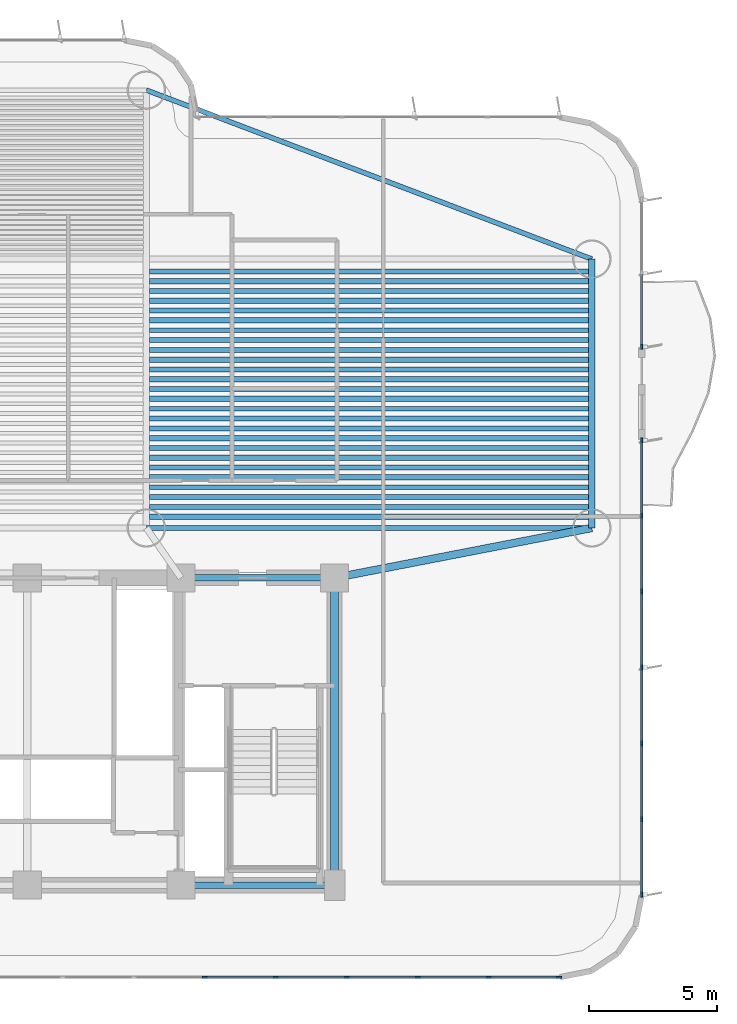
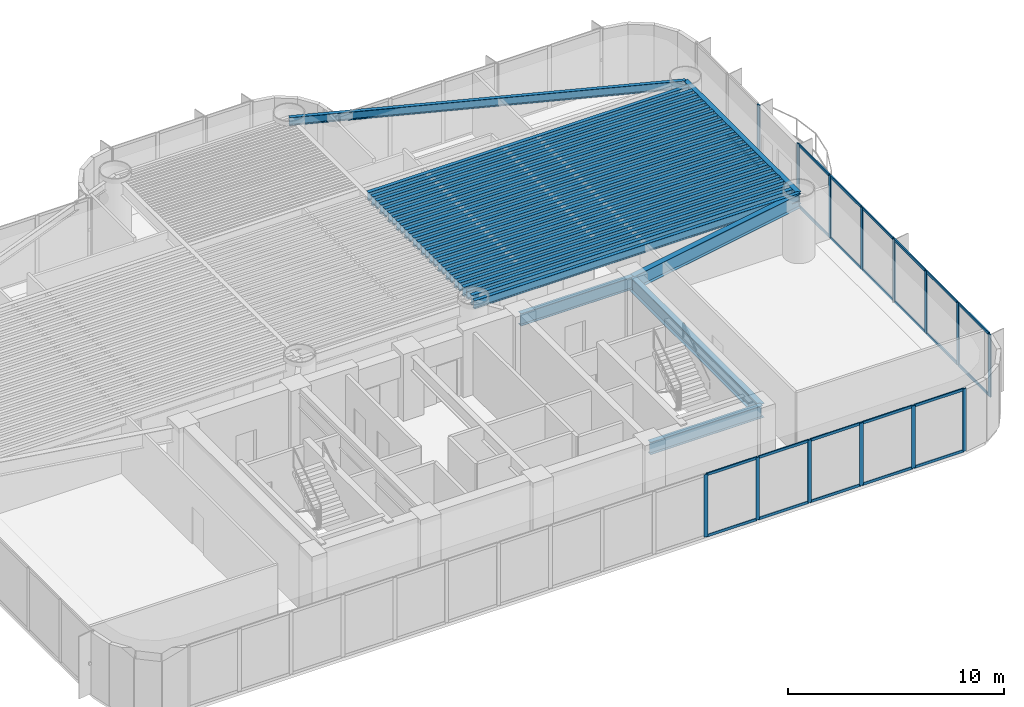
# One storey, part 5 of 16: 37 members, 33 beams, 3 elements without a shape of their own.
"""IFC4 building model written with IfcOpenShell, lengths in metres."""

from ifc_helpers import new_model, si_unit, direction, frame, origin, origin_2d, place, context, subcontext, project, spatial, rectangle, i_section, extrude, source, transform, mapped, material, layer, layer_set, material_profile, profile_set, type_object, element, aggregate, save


model = new_model("IFC4")

# Units and contexts
model_context = context("Model", 3, precision=1e-05, world=origin(), true_north=direction((0.0, 1.0)))
body_context = subcontext(model_context, "Body", "Model", "MODEL_VIEW")
ifc_project = project(units=[si_unit("LENGTHUNIT", "METRE"), si_unit("AREAUNIT", "SQUARE_METRE"), si_unit("VOLUMEUNIT", "CUBIC_METRE"), si_unit("PLANEANGLEUNIT", "RADIAN"), si_unit("MASSUNIT", "GRAM", prefix="KILO")], contexts=[model_context])

# Site, building, storey
site_placement = place(None, origin())
site = spatial("IfcSite", under=ifc_project, at=site_placement, CompositionType="ELEMENT")
building_placement = place(site_placement, origin())
building = spatial("IfcBuilding", under=site, at=building_placement, Name="Brelvock Crest Care Tower", CompositionType="ELEMENT")
storey_placement = place(building_placement, frame((0.0, 0.0, 61.02001953125)))
storey = spatial("IfcBuildingStorey", under=building, at=storey_placement, Name="L15", CompositionType="ELEMENT", Elevation=61.02001953125)

# Beams
ifc_material_1 = material(Name="Steel Grade 350", Category="steel")
ifc_material_profile_1 = material_profile(ifc_material_1, i_section(OverallWidth=0.25, OverallDepth=0.699951171875, WebThickness=0.011962890625, FlangeThickness=0.02001953125, at=origin_2d()), Name="700WB150")
ifc_profile_set_1 = profile_set([ifc_material_profile_1], Name="Steel Grade 350")
beam_type_1 = type_object("IfcBeamType", Name="BM-G4", PredefinedType="BEAM", material=ifc_profile_set_1)
shared_shape_1 = source(origin(), body_context, "Body", "SweptSolid", [
    extrude(i_section(OverallWidth=0.25, OverallDepth=0.699951171875, WebThickness=0.011962890625, FlangeThickness=0.02001953125, at=origin_2d()), origin(), (0.0, 0.0, 1.0), 6.0),
])
for number, where, z_axis, x_axis, name in (
    (1, (42.0, 6.0, 3.179931640625), (1.0, 0.0, 0.0), (0.0, 1.0, 0.0), "BM-CORES-L15-4"),
    (2, (42.0, 18.0, 3.179931640625), (1.0, 0.0, 0.0), (0.0, 1.0, 0.0), "BM-COREN-L15-4"),
):
    element("IfcBeam", number, at=place(storey_placement, frame(where, z_axis=z_axis, x_axis=x_axis)), inside=storey, type_object=beam_type_1, Name=name, PredefinedType="BEAM", context=body_context, shape_type="MappedRepresentation", body=[
        mapped(shared_shape_1, transform((0.0, 0.0, 0.0), x_axis=(1.0, 0.0, 0.0), y_axis=(0.0, 1.0, 0.0), z_axis=(0.0, 0.0, 1.0), scale=1.0)),
    ])
ifc_material_profile_2 = material_profile(ifc_material_1, i_section(OverallWidth=0.300048828125, OverallDepth=0.800048828125, WebThickness=0.013916015625, FlangeThickness=0.02197265625, at=origin_2d()), Name="800WB192")
ifc_profile_set_2 = profile_set([ifc_material_profile_2], Name="Steel Grade 350")
beam_type_2 = type_object("IfcBeamType", Name="BM-G5", PredefinedType="BEAM", material=ifc_profile_set_2)
shared_shape_2 = source(origin(), body_context, "Body", "SweptSolid", [
    extrude(i_section(OverallWidth=0.300048828125, OverallDepth=0.800048828125, WebThickness=0.013916015625, FlangeThickness=0.02197265625, at=origin_2d()), origin(), (0.0, 0.0, 1.0), 12.0),
])
beam_1_placement = place(storey_placement, frame((48.0, 6.0, 3.1298828125), z_axis=(0.0, 1.0, 0.0), x_axis=(-1.0, 0.0, 0.0)))
element("IfcBeam", 3, at=beam_1_placement, inside=storey, type_object=beam_type_2, Name="BM-COREX-L15-5", PredefinedType="BEAM", context=body_context, shape_type="MappedRepresentation", body=[
    mapped(shared_shape_2, transform((0.0, 0.0, 0.0), x_axis=(1.0, 0.0, 0.0), y_axis=(0.0, 1.0, 0.0), z_axis=(0.0, 0.0, 1.0), scale=1.0)),
])
shared_shape_3 = source(origin(), body_context, "Body", "SweptSolid", [
    extrude(i_section(OverallWidth=0.25, OverallDepth=0.699951171875, WebThickness=0.011962890625, FlangeThickness=0.02001953125, at=origin_2d()), origin(), (0.0, 0.0, 1.0), 10.5),
])
beam_2_placement = place(storey_placement, frame((58.050048828125, 19.949951171875, 3.179931640625), z_axis=(0.0, 1.0, 0.0), x_axis=(-1.0, 0.0, 0.0)))
element("IfcBeam", 4, at=beam_2_placement, inside=storey, type_object=beam_type_1, Name="BM-TWR-L15-02", PredefinedType="BEAM", context=body_context, shape_type="MappedRepresentation", body=[
    mapped(shared_shape_3, transform((0.0, 0.0, 0.0), x_axis=(1.0, 0.0, 0.0), y_axis=(0.0, 1.0, 0.0), z_axis=(0.0, 0.0, 1.0), scale=1.0)),
])
ifc_material_profile_3 = material_profile(ifc_material_1, i_section(OverallWidth=0.19091796875, OverallDepth=0.4599609375, WebThickness=0.010009765625, FlangeThickness=0.01611328125, FilletRadius=0.011474609375, at=origin_2d()), Name="460UB82.1")
ifc_profile_set_3 = profile_set([ifc_material_profile_3], Name="Steel Grade 350")
beam_type_3 = type_object("IfcBeamType", Name="BM-SP2", PredefinedType="SPANDREL", material=ifc_profile_set_3)
shared_shape_4 = source(origin(), body_context, "Body", "SweptSolid", [
    extrude(i_section(OverallWidth=0.19091796875, OverallDepth=0.4599609375, WebThickness=0.010009765625, FlangeThickness=0.01611328125, FilletRadius=0.011474609375, at=origin_2d()), origin(), (0.0, 0.0, 1.0), 17.400146484375),
])
beam_3_placement = place(storey_placement, frame((40.64990234375, 19.949951171875, 3.300048828125), z_axis=(1.0, 0.0, 0.0), x_axis=(0.0, 1.0, 0.0)))
element("IfcBeam", 5, at=beam_3_placement, inside=storey, type_object=beam_type_3, Name="BM-TWR-L15-04", PredefinedType="SPANDREL", context=body_context, shape_type="MappedRepresentation", body=[
    mapped(shared_shape_4, transform((0.0, 0.0, 0.0), x_axis=(1.0, 0.0, 0.0), y_axis=(0.0, 1.0, 0.0), z_axis=(0.0, 0.0, 1.0), scale=1.0)),
])
shared_shape_5 = source(origin(), body_context, "Body", "SweptSolid", [
    extrude(i_section(OverallWidth=0.19091796875, OverallDepth=0.4599609375, WebThickness=0.010009765625, FlangeThickness=0.01611328125, FilletRadius=0.011474609375, at=origin_2d()), origin(), (0.0, 0.0, 1.0), 18.60986328125),
])
beam_4_placement = place(storey_placement, frame((40.64990234375, 37.050048828125, 3.300048828125), z_axis=(0.934996776275, -0.3546562115, 0.0), x_axis=(0.3546562115, 0.934996776275, 0.0)))
element("IfcBeam", 6, at=beam_4_placement, inside=storey, type_object=beam_type_3, Name="BM-TWR-L15-07", PredefinedType="SPANDREL", context=body_context, shape_type="MappedRepresentation", body=[
    mapped(shared_shape_5, transform((0.0, 0.0, 0.0), x_axis=(1.0, 0.0, 0.0), y_axis=(0.0, 1.0, 0.0), z_axis=(0.0, 0.0, 1.0), scale=1.0)),
])
shared_shape_6 = source(origin(), body_context, "Body", "SweptSolid", [
    extrude(i_section(OverallWidth=0.300048828125, OverallDepth=0.800048828125, WebThickness=0.013916015625, FlangeThickness=0.02197265625, at=origin_2d()), origin(), (0.0, 0.0, 1.0), 10.237548828125),
])
beam_5_placement = place(storey_placement, frame((48.0, 18.0, 3.1298828125), z_axis=(0.981692632568, 0.190471979991, 0.0), x_axis=(-0.190471979991, 0.981692632568, 0.0)))
element("IfcBeam", 7, at=beam_5_placement, inside=storey, type_object=beam_type_2, Name="BM-THRO-E-L15", PredefinedType="BEAM", context=body_context, shape_type="MappedRepresentation", body=[
    mapped(shared_shape_6, transform((0.0, 0.0, 0.0), x_axis=(1.0, 0.0, 0.0), y_axis=(0.0, 1.0, 0.0), z_axis=(0.0, 0.0, 1.0), scale=1.0)),
])
ifc_material_profile_4 = material_profile(ifc_material_1, i_section(OverallWidth=0.208984375, OverallDepth=0.532958984375, WebThickness=0.01025390625, FlangeThickness=0.015625, FilletRadius=0.013916015625, at=origin_2d()), Name="530UB92.4")
ifc_profile_set_4 = profile_set([ifc_material_profile_4], Name="Steel Grade 350")
beam_type_4 = type_object("IfcBeamType", Name="BM-G2", PredefinedType="BEAM", material=ifc_profile_set_4)
shared_shape_7 = source(origin(), body_context, "Body", "SweptSolid", [
    extrude(i_section(OverallWidth=0.208984375, OverallDepth=0.532958984375, WebThickness=0.01025390625, FlangeThickness=0.015625, FilletRadius=0.013916015625, at=origin_2d()), origin(), (0.0, 0.0, 1.0), 17.170166015625),
])
for number, where, z_axis, x_axis, name in (
    (8, (40.764892578125, 20.39111328125, 3.263427734375), (1.0, 0.0, 0.0), (0.0, 1.0, 0.0), "BM-JE-L15-1"),
    (9, (40.764892578125, 21.157470703125, 3.263427734375), (1.0, 0.0, 0.0), (0.0, 1.0, 0.0), "BM-JE-L15-3"),
    (10, (40.764892578125, 21.924072265625, 3.263427734375), (1.0, 0.0, 0.0), (0.0, 1.0, 0.0), "BM-JE-L15-5"),
    (11, (40.764892578125, 22.6904296875, 3.263427734375), (1.0, 0.0, 0.0), (0.0, 1.0, 0.0), "BM-JE-L15-7"),
    (12, (40.764892578125, 23.45703125, 3.263427734375), (1.0, 0.0, 0.0), (0.0, 1.0, 0.0), "BM-JE-L15-9"),
    (13, (40.764892578125, 24.223388671875, 3.263427734375), (1.0, 0.0, 0.0), (0.0, 1.0, 0.0), "BM-JE-L15-11"),
    (14, (40.764892578125, 24.989990234375, 3.263427734375), (1.0, 0.0, 0.0), (0.0, 1.0, 0.0), "BM-JE-L15-13"),
    (15, (40.764892578125, 25.756591796875, 3.263427734375), (1.0, 0.0, 0.0), (0.0, 1.0, 0.0), "BM-JE-L15-15"),
    (16, (40.764892578125, 26.52294921875, 3.263427734375), (1.0, 0.0, 0.0), (0.0, 1.0, 0.0), "BM-JE-L15-17"),
    (17, (40.764892578125, 27.28955078125, 3.263427734375), (1.0, 0.0, 0.0), (0.0, 1.0, 0.0), "BM-JE-L15-19"),
    (18, (40.764892578125, 28.055908203125, 3.263427734375), (1.0, 0.0, 0.0), (0.0, 1.0, 0.0), "BM-JE-L15-21"),
    (19, (40.764892578125, 28.822509765625, 3.263427734375), (1.0, 0.0, 0.0), (0.0, 1.0, 0.0), "BM-JE-L15-23"),
    (20, (40.764892578125, 29.589111328125, 3.263427734375), (1.0, 0.0, 0.0), (0.0, 1.0, 0.0), "BM-JE-L15-25"),
):
    element("IfcBeam", number, at=place(storey_placement, frame(where, z_axis=z_axis, x_axis=x_axis)), inside=storey, type_object=beam_type_4, Name=name, PredefinedType="BEAM", context=body_context, shape_type="MappedRepresentation", body=[
        mapped(shared_shape_7, transform((0.0, 0.0, 0.0), x_axis=(1.0, 0.0, 0.0), y_axis=(0.0, 1.0, 0.0), z_axis=(0.0, 0.0, 1.0), scale=1.0)),
    ])
ifc_material_profile_5 = material_profile(ifc_material_1, i_section(OverallWidth=0.19091796875, OverallDepth=0.4599609375, WebThickness=0.010009765625, FlangeThickness=0.01611328125, FilletRadius=0.011474609375, at=origin_2d()), Name="460UB82.1")
ifc_profile_set_5 = profile_set([ifc_material_profile_5], Name="Steel Grade 350")
beam_type_5 = type_object("IfcBeamType", Name="BM-G3", PredefinedType="BEAM", material=ifc_profile_set_5)
shared_shape_8 = source(origin(), body_context, "Body", "SweptSolid", [
    extrude(i_section(OverallWidth=0.19091796875, OverallDepth=0.4599609375, WebThickness=0.010009765625, FlangeThickness=0.01611328125, FilletRadius=0.011474609375, at=origin_2d()), origin(), (0.0, 0.0, 1.0), 17.170166015625),
])
for number, where, z_axis, x_axis, name in (
    (21, (40.764892578125, 20.774169921875, 3.300048828125), (1.0, 0.0, 0.0), (0.0, 1.0, 0.0), "BM-JE-L15-2"),
    (22, (40.764892578125, 21.540771484375, 3.300048828125), (1.0, 0.0, 0.0), (0.0, 1.0, 0.0), "BM-JE-L15-4"),
    (23, (40.764892578125, 22.30712890625, 3.300048828125), (1.0, 0.0, 0.0), (0.0, 1.0, 0.0), "BM-JE-L15-6"),
    (24, (40.764892578125, 23.07373046875, 3.300048828125), (1.0, 0.0, 0.0), (0.0, 1.0, 0.0), "BM-JE-L15-8"),
    (25, (40.764892578125, 23.840087890625, 3.300048828125), (1.0, 0.0, 0.0), (0.0, 1.0, 0.0), "BM-JE-L15-10"),
    (26, (40.764892578125, 24.606689453125, 3.300048828125), (1.0, 0.0, 0.0), (0.0, 1.0, 0.0), "BM-JE-L15-12"),
    (27, (40.764892578125, 25.373291015625, 3.300048828125), (1.0, 0.0, 0.0), (0.0, 1.0, 0.0), "BM-JE-L15-14"),
    (28, (40.764892578125, 26.1396484375, 3.300048828125), (1.0, 0.0, 0.0), (0.0, 1.0, 0.0), "BM-JE-L15-16"),
    (29, (40.764892578125, 26.90625, 3.300048828125), (1.0, 0.0, 0.0), (0.0, 1.0, 0.0), "BM-JE-L15-18"),
    (30, (40.764892578125, 27.6728515625, 3.300048828125), (1.0, 0.0, 0.0), (0.0, 1.0, 0.0), "BM-JE-L15-20"),
    (31, (40.764892578125, 28.439208984375, 3.300048828125), (1.0, 0.0, 0.0), (0.0, 1.0, 0.0), "BM-JE-L15-22"),
    (32, (40.764892578125, 29.205810546875, 3.300048828125), (1.0, 0.0, 0.0), (0.0, 1.0, 0.0), "BM-JE-L15-24"),
    (33, (40.764892578125, 29.97216796875, 3.300048828125), (1.0, 0.0, 0.0), (0.0, 1.0, 0.0), "BM-JE-L15-26"),
):
    element("IfcBeam", number, at=place(storey_placement, frame(where, z_axis=z_axis, x_axis=x_axis)), inside=storey, type_object=beam_type_5, Name=name, PredefinedType="BEAM", context=body_context, shape_type="MappedRepresentation", body=[
        mapped(shared_shape_8, transform((0.0, 0.0, 0.0), x_axis=(1.0, 0.0, 0.0), y_axis=(0.0, 1.0, 0.0), z_axis=(0.0, 0.0, 1.0), scale=1.0)),
    ])

# Curtain wall, member
ifc_material_2 = material(Name="Dark Glass Double Glazed Low-E", Category="glass")
ifc_layer = layer(ifc_material_2, 0.195068359375, Name="CWS-2")
ifc_layer_set = layer_set([ifc_layer], Name="Dark Glass Double Glazed Low-E")
curtain_wall_type = type_object("IfcCurtainWallType", Name="CWS-2", PredefinedType="NOTDEFINED", material=ifc_layer_set)
curtain_wall_1_placement = place(storey_placement, origin())
curtain_wall_1 = element("IfcCurtainWall", 34, at=curtain_wall_1_placement, inside=storey, type_object=curtain_wall_type, Name="L15 Curtain Wall E03A", PredefinedType="NOTDEFINED")
ifc_material_3 = material(Name="Aluminium 6063-T6", Category="aluminium")
ifc_material_profile_6 = material_profile(ifc_material_3, rectangle(XDim=0.06494140625, YDim=0.199951171875, at=origin_2d()), Name="ALU65x200")
ifc_profile_set_6 = profile_set([ifc_material_profile_6], Name="Aluminium 6063-T6")
member_type_1 = type_object("IfcMemberType", Name="CWM-1", PredefinedType="MULLION", material=ifc_profile_set_6)
shared_shape_9 = source(origin(), body_context, "Body", "SweptSolid", [
    extrude(rectangle(XDim=0.06494140625, YDim=0.199951171875, at=origin_2d()), origin(), (0.0, 0.0, 1.0), 3.530029296875),
])
member_1_placement = place(storey_placement, frame((60.0, 27.032470703125, 0.0), z_axis=(0.0, 0.0, 1.0), x_axis=(1.0, 0.0, 0.0)))
member_1 = element("IfcMember", 35, at=member_1_placement, type_object=member_type_1, Name="CW-2 mullion 3", PredefinedType="MULLION", context=body_context, shape_type="MappedRepresentation", body=[
    mapped(shared_shape_9, transform((0.0, 0.0, 0.0), x_axis=(1.0, 0.0, 0.0), y_axis=(0.0, 1.0, 0.0), z_axis=(0.0, 0.0, 1.0), scale=1.0)),
])

# Curtain wall, members
curtain_wall_2_placement = place(storey_placement, origin())
curtain_wall_2 = element("IfcCurtainWall", 36, at=curtain_wall_2_placement, inside=storey, type_object=curtain_wall_type, Name="L15 Curtain Wall E03B", PredefinedType="NOTDEFINED")
member_2_placement = place(storey_placement, frame((60.0, 23.367431640625, 0.0), z_axis=(0.0, 0.0, 1.0), x_axis=(1.0, 0.0, 0.0)))
member_2 = element("IfcMember", 37, at=member_2_placement, type_object=member_type_1, Name="CW-2 mullion 1", PredefinedType="MULLION", context=body_context, shape_type="MappedRepresentation", body=[
    mapped(shared_shape_9, transform((0.0, 0.0, 0.0), x_axis=(1.0, 0.0, 0.0), y_axis=(0.0, 1.0, 0.0), z_axis=(0.0, 0.0, 1.0), scale=1.0)),
])
member_3_placement = place(storey_placement, frame((60.0, 20.433349609375, 0.0), z_axis=(0.0, 0.0, 1.0), x_axis=(1.0, 0.0, 0.0)))
member_3 = element("IfcMember", 38, at=member_3_placement, type_object=member_type_1, Name="CW-2 mullion 2", PredefinedType="MULLION", context=body_context, shape_type="MappedRepresentation", body=[
    mapped(shared_shape_9, transform((0.0, 0.0, 0.0), x_axis=(1.0, 0.0, 0.0), y_axis=(0.0, 1.0, 0.0), z_axis=(0.0, 0.0, 1.0), scale=1.0)),
])
member_4_placement = place(storey_placement, frame((60.0, 17.466552734375, 0.0), z_axis=(0.0, 0.0, 1.0), x_axis=(1.0, 0.0, 0.0)))
member_4 = element("IfcMember", 39, at=member_4_placement, type_object=member_type_1, Name="CW-2 mullion 3", PredefinedType="MULLION", context=body_context, shape_type="MappedRepresentation", body=[
    mapped(shared_shape_9, transform((0.0, 0.0, 0.0), x_axis=(1.0, 0.0, 0.0), y_axis=(0.0, 1.0, 0.0), z_axis=(0.0, 0.0, 1.0), scale=1.0)),
])
member_5_placement = place(storey_placement, frame((60.0, 14.5, 0.0), z_axis=(0.0, 0.0, 1.0), x_axis=(1.0, 0.0, 0.0)))
member_5 = element("IfcMember", 40, at=member_5_placement, type_object=member_type_1, Name="CW-2 mullion 4", PredefinedType="MULLION", context=body_context, shape_type="MappedRepresentation", body=[
    mapped(shared_shape_9, transform((0.0, 0.0, 0.0), x_axis=(1.0, 0.0, 0.0), y_axis=(0.0, 1.0, 0.0), z_axis=(0.0, 0.0, 1.0), scale=1.0)),
])
member_6_placement = place(storey_placement, frame((60.0, 11.533447265625, 0.0), z_axis=(0.0, 0.0, 1.0), x_axis=(1.0, 0.0, 0.0)))
member_6 = element("IfcMember", 41, at=member_6_placement, type_object=member_type_1, Name="CW-2 mullion 5", PredefinedType="MULLION", context=body_context, shape_type="MappedRepresentation", body=[
    mapped(shared_shape_9, transform((0.0, 0.0, 0.0), x_axis=(1.0, 0.0, 0.0), y_axis=(0.0, 1.0, 0.0), z_axis=(0.0, 0.0, 1.0), scale=1.0)),
])
member_7_placement = place(storey_placement, frame((60.0, 8.566650390625, 0.0), z_axis=(0.0, 0.0, 1.0), x_axis=(1.0, 0.0, 0.0)))
member_7 = element("IfcMember", 42, at=member_7_placement, type_object=member_type_1, Name="CW-2 mullion 6", PredefinedType="MULLION", context=body_context, shape_type="MappedRepresentation", body=[
    mapped(shared_shape_9, transform((0.0, 0.0, 0.0), x_axis=(1.0, 0.0, 0.0), y_axis=(0.0, 1.0, 0.0), z_axis=(0.0, 0.0, 1.0), scale=1.0)),
])
member_8_placement = place(storey_placement, frame((60.0, 5.632568359375, 0.0), z_axis=(0.0, 0.0, 1.0), x_axis=(1.0, 0.0, 0.0)))
member_8 = element("IfcMember", 43, at=member_8_placement, type_object=member_type_1, Name="CW-2 mullion 7", PredefinedType="MULLION", context=body_context, shape_type="MappedRepresentation", body=[
    mapped(shared_shape_9, transform((0.0, 0.0, 0.0), x_axis=(1.0, 0.0, 0.0), y_axis=(0.0, 1.0, 0.0), z_axis=(0.0, 0.0, 1.0), scale=1.0)),
])

curtain_wall_3_placement = place(storey_placement, origin())
curtain_wall_3 = element("IfcCurtainWall", 44, at=curtain_wall_3_placement, inside=storey, type_object=curtain_wall_type, Name="L15 Curtain Wall E08", PredefinedType="NOTDEFINED")
member_9_placement = place(storey_placement, frame((56.767578125, 2.39990234375, 0.0), z_axis=(0.0, 0.0, 1.0), x_axis=(0.0, -1.0, 0.0)))
member_9 = element("IfcMember", 45, at=member_9_placement, type_object=member_type_1, Name="CW-2 mullion 1", PredefinedType="MULLION", context=body_context, shape_type="MappedRepresentation", body=[
    mapped(shared_shape_9, transform((0.0, 0.0, 0.0), x_axis=(1.0, 0.0, 0.0), y_axis=(0.0, 1.0, 0.0), z_axis=(0.0, 0.0, 1.0), scale=1.0)),
])
member_10_placement = place(storey_placement, frame((54.026611328125, 2.39990234375, 0.0), z_axis=(0.0, 0.0, 1.0), x_axis=(0.0, -1.0, 0.0)))
member_10 = element("IfcMember", 46, at=member_10_placement, type_object=member_type_1, Name="CW-2 mullion 2", PredefinedType="MULLION", context=body_context, shape_type="MappedRepresentation", body=[
    mapped(shared_shape_9, transform((0.0, 0.0, 0.0), x_axis=(1.0, 0.0, 0.0), y_axis=(0.0, 1.0, 0.0), z_axis=(0.0, 0.0, 1.0), scale=1.0)),
])
member_11_placement = place(storey_placement, frame((51.25341796875, 2.39990234375, 0.0), z_axis=(0.0, 0.0, 1.0), x_axis=(0.0, -1.0, 0.0)))
member_11 = element("IfcMember", 47, at=member_11_placement, type_object=member_type_1, Name="CW-2 mullion 3", PredefinedType="MULLION", context=body_context, shape_type="MappedRepresentation", body=[
    mapped(shared_shape_9, transform((0.0, 0.0, 0.0), x_axis=(1.0, 0.0, 0.0), y_axis=(0.0, 1.0, 0.0), z_axis=(0.0, 0.0, 1.0), scale=1.0)),
])
member_12_placement = place(storey_placement, frame((48.47998046875, 2.39990234375, 0.0), z_axis=(0.0, 0.0, 1.0), x_axis=(0.0, -1.0, 0.0)))
member_12 = element("IfcMember", 48, at=member_12_placement, type_object=member_type_1, Name="CW-2 mullion 4", PredefinedType="MULLION", context=body_context, shape_type="MappedRepresentation", body=[
    mapped(shared_shape_9, transform((0.0, 0.0, 0.0), x_axis=(1.0, 0.0, 0.0), y_axis=(0.0, 1.0, 0.0), z_axis=(0.0, 0.0, 1.0), scale=1.0)),
])
member_13_placement = place(storey_placement, frame((45.706787109375, 2.39990234375, 0.0), z_axis=(0.0, 0.0, 1.0), x_axis=(0.0, -1.0, 0.0)))
member_13 = element("IfcMember", 49, at=member_13_placement, type_object=member_type_1, Name="CW-2 mullion 5", PredefinedType="MULLION", context=body_context, shape_type="MappedRepresentation", body=[
    mapped(shared_shape_9, transform((0.0, 0.0, 0.0), x_axis=(1.0, 0.0, 0.0), y_axis=(0.0, 1.0, 0.0), z_axis=(0.0, 0.0, 1.0), scale=1.0)),
])
member_14_placement = place(storey_placement, frame((42.933349609375, 2.39990234375, 0.0), z_axis=(0.0, 0.0, 1.0), x_axis=(0.0, -1.0, 0.0)))
member_14 = element("IfcMember", 50, at=member_14_placement, type_object=member_type_1, Name="CW-2 mullion 6", PredefinedType="MULLION", context=body_context, shape_type="MappedRepresentation", body=[
    mapped(shared_shape_9, transform((0.0, 0.0, 0.0), x_axis=(1.0, 0.0, 0.0), y_axis=(0.0, 1.0, 0.0), z_axis=(0.0, 0.0, 1.0), scale=1.0)),
])
ifc_material_profile_7 = material_profile(ifc_material_3, rectangle(XDim=0.06494140625, YDim=0.14990234375, at=origin_2d()), Name="ALU65x150")
ifc_profile_set_7 = profile_set([ifc_material_profile_7], Name="Aluminium 6063-T6")
member_type_2 = type_object("IfcMemberType", Name="CWT-1", PredefinedType="USERDEFINED", material=ifc_profile_set_7)
shared_shape_10 = source(origin(), body_context, "Body", "SweptSolid", [
    extrude(rectangle(XDim=0.06494140625, YDim=0.14990234375, at=origin_2d()), origin(), (0.0, 0.0, 1.0), 2.676025390625),
])
member_15_placement = place(storey_placement, frame((56.735107421875, 2.39990234375, 0.032470703125), z_axis=(-1.0, 0.0, 0.0), x_axis=(0.0, -1.0, 0.0)))
member_15 = element("IfcMember", 51, at=member_15_placement, type_object=member_type_2, Name="CW-2 transom 1.1", ObjectType="TRANSOM", PredefinedType="USERDEFINED", context=body_context, shape_type="MappedRepresentation", body=[
    mapped(shared_shape_10, transform((0.0, 0.0, 0.0), x_axis=(1.0, 0.0, 0.0), y_axis=(0.0, 1.0, 0.0), z_axis=(0.0, 0.0, 1.0), scale=1.0)),
])
member_16_placement = place(storey_placement, frame((56.735107421875, 2.39990234375, 3.49755859375), z_axis=(-1.0, 0.0, 0.0), x_axis=(0.0, -1.0, 0.0)))
member_16 = element("IfcMember", 52, at=member_16_placement, type_object=member_type_2, Name="CW-2 transom 1.2", ObjectType="TRANSOM", PredefinedType="USERDEFINED", context=body_context, shape_type="MappedRepresentation", body=[
    mapped(shared_shape_10, transform((0.0, 0.0, 0.0), x_axis=(1.0, 0.0, 0.0), y_axis=(0.0, 1.0, 0.0), z_axis=(0.0, 0.0, 1.0), scale=1.0)),
])
shared_shape_11 = source(origin(), body_context, "Body", "SweptSolid", [
    extrude(rectangle(XDim=0.06494140625, YDim=0.14990234375, at=origin_2d()), origin(), (0.0, 0.0, 1.0), 2.708251953125),
])
member_17_placement = place(storey_placement, frame((53.994140625, 2.39990234375, 0.032470703125), z_axis=(-1.0, 0.0, 0.0), x_axis=(0.0, -1.0, 0.0)))
member_17 = element("IfcMember", 53, at=member_17_placement, type_object=member_type_2, Name="CW-2 transom 2.1", ObjectType="TRANSOM", PredefinedType="USERDEFINED", context=body_context, shape_type="MappedRepresentation", body=[
    mapped(shared_shape_11, transform((0.0, 0.0, 0.0), x_axis=(1.0, 0.0, 0.0), y_axis=(0.0, 1.0, 0.0), z_axis=(0.0, 0.0, 1.0), scale=1.0)),
])
member_18_placement = place(storey_placement, frame((53.994140625, 2.39990234375, 3.49755859375), z_axis=(-1.0, 0.0, 0.0), x_axis=(0.0, -1.0, 0.0)))
member_18 = element("IfcMember", 54, at=member_18_placement, type_object=member_type_2, Name="CW-2 transom 2.2", ObjectType="TRANSOM", PredefinedType="USERDEFINED", context=body_context, shape_type="MappedRepresentation", body=[
    mapped(shared_shape_11, transform((0.0, 0.0, 0.0), x_axis=(1.0, 0.0, 0.0), y_axis=(0.0, 1.0, 0.0), z_axis=(0.0, 0.0, 1.0), scale=1.0)),
])
member_19_placement = place(storey_placement, frame((48.447509765625, 2.39990234375, 0.032470703125), z_axis=(-1.0, 0.0, 0.0), x_axis=(0.0, -1.0, 0.0)))
member_19 = element("IfcMember", 55, at=member_19_placement, type_object=member_type_2, Name="CW-2 transom 4.1", ObjectType="TRANSOM", PredefinedType="USERDEFINED", context=body_context, shape_type="MappedRepresentation", body=[
    mapped(shared_shape_11, transform((0.0, 0.0, 0.0), x_axis=(1.0, 0.0, 0.0), y_axis=(0.0, 1.0, 0.0), z_axis=(0.0, 0.0, 1.0), scale=1.0)),
])
member_20_placement = place(storey_placement, frame((48.447509765625, 2.39990234375, 3.49755859375), z_axis=(-1.0, 0.0, 0.0), x_axis=(0.0, -1.0, 0.0)))
member_20 = element("IfcMember", 56, at=member_20_placement, type_object=member_type_2, Name="CW-2 transom 4.2", ObjectType="TRANSOM", PredefinedType="USERDEFINED", context=body_context, shape_type="MappedRepresentation", body=[
    mapped(shared_shape_11, transform((0.0, 0.0, 0.0), x_axis=(1.0, 0.0, 0.0), y_axis=(0.0, 1.0, 0.0), z_axis=(0.0, 0.0, 1.0), scale=1.0)),
])
member_21_placement = place(storey_placement, frame((45.674072265625, 2.39990234375, 0.032470703125), z_axis=(-1.0, 0.0, 0.0), x_axis=(0.0, -1.0, 0.0)))
member_21 = element("IfcMember", 57, at=member_21_placement, type_object=member_type_2, Name="CW-2 transom 5.1", ObjectType="TRANSOM", PredefinedType="USERDEFINED", context=body_context, shape_type="MappedRepresentation", body=[
    mapped(shared_shape_11, transform((0.0, 0.0, 0.0), x_axis=(1.0, 0.0, 0.0), y_axis=(0.0, 1.0, 0.0), z_axis=(0.0, 0.0, 1.0), scale=1.0)),
])
member_22_placement = place(storey_placement, frame((45.674072265625, 2.39990234375, 3.49755859375), z_axis=(-1.0, 0.0, 0.0), x_axis=(0.0, -1.0, 0.0)))
member_22 = element("IfcMember", 58, at=member_22_placement, type_object=member_type_2, Name="CW-2 transom 5.2", ObjectType="TRANSOM", PredefinedType="USERDEFINED", context=body_context, shape_type="MappedRepresentation", body=[
    mapped(shared_shape_11, transform((0.0, 0.0, 0.0), x_axis=(1.0, 0.0, 0.0), y_axis=(0.0, 1.0, 0.0), z_axis=(0.0, 0.0, 1.0), scale=1.0)),
])
shared_shape_12 = source(origin(), body_context, "Body", "SweptSolid", [
    extrude(rectangle(XDim=0.06494140625, YDim=0.14990234375, at=origin_2d()), origin(), (0.0, 0.0, 1.0), 2.70849609375),
])
member_23_placement = place(storey_placement, frame((51.220947265625, 2.39990234375, 0.032470703125), z_axis=(-1.0, 0.0, 0.0), x_axis=(0.0, -1.0, 0.0)))
member_23 = element("IfcMember", 59, at=member_23_placement, type_object=member_type_2, Name="CW-2 transom 3.1", ObjectType="TRANSOM", PredefinedType="USERDEFINED", context=body_context, shape_type="MappedRepresentation", body=[
    mapped(shared_shape_12, transform((0.0, 0.0, 0.0), x_axis=(1.0, 0.0, 0.0), y_axis=(0.0, 1.0, 0.0), z_axis=(0.0, 0.0, 1.0), scale=1.0)),
])
member_24_placement = place(storey_placement, frame((51.220947265625, 2.39990234375, 3.49755859375), z_axis=(-1.0, 0.0, 0.0), x_axis=(0.0, -1.0, 0.0)))
member_24 = element("IfcMember", 60, at=member_24_placement, type_object=member_type_2, Name="CW-2 transom 3.2", ObjectType="TRANSOM", PredefinedType="USERDEFINED", context=body_context, shape_type="MappedRepresentation", body=[
    mapped(shared_shape_12, transform((0.0, 0.0, 0.0), x_axis=(1.0, 0.0, 0.0), y_axis=(0.0, 1.0, 0.0), z_axis=(0.0, 0.0, 1.0), scale=1.0)),
])
aggregate(curtain_wall_3, [member_9, member_10, member_11, member_12, member_13, member_14, member_15, member_16, member_17, member_18, member_23, member_24, member_19, member_20, member_21, member_22])

# Member
shared_shape_13 = source(origin(), body_context, "Body", "SweptSolid", [
    extrude(rectangle(XDim=0.06494140625, YDim=0.14990234375, at=origin_2d()), origin(), (0.0, 0.0, 1.0), 2.802490234375),
])
member_25_placement = place(storey_placement, frame((60.0, 29.867431640625, 0.032470703125), z_axis=(0.0, -1.0, 0.0), x_axis=(1.0, 0.0, 0.0)))
member_25 = element("IfcMember", 61, at=member_25_placement, type_object=member_type_2, Name="CW-2 transom 2.1", ObjectType="TRANSOM", PredefinedType="USERDEFINED", context=body_context, shape_type="MappedRepresentation", body=[
    mapped(shared_shape_13, transform((0.0, 0.0, 0.0), x_axis=(1.0, 0.0, 0.0), y_axis=(0.0, 1.0, 0.0), z_axis=(0.0, 0.0, 1.0), scale=1.0)),
])

aggregate(curtain_wall_1, [member_1, member_25])

shared_shape_14 = source(origin(), body_context, "Body", "SweptSolid", [
    extrude(rectangle(XDim=0.06494140625, YDim=0.14990234375, at=origin_2d()), origin(), (0.0, 0.0, 1.0), 2.869140625),
])
member_26_placement = place(storey_placement, frame((60.0, 23.3349609375, 0.032470703125), z_axis=(0.0, -1.0, 0.0), x_axis=(1.0, 0.0, 0.0)))
member_26 = element("IfcMember", 62, at=member_26_placement, type_object=member_type_2, Name="CW-2 transom 1.1", ObjectType="TRANSOM", PredefinedType="USERDEFINED", context=body_context, shape_type="MappedRepresentation", body=[
    mapped(shared_shape_14, transform((0.0, 0.0, 0.0), x_axis=(1.0, 0.0, 0.0), y_axis=(0.0, 1.0, 0.0), z_axis=(0.0, 0.0, 1.0), scale=1.0)),
])

member_27_placement = place(storey_placement, frame((60.0, 23.3349609375, 3.49755859375), z_axis=(0.0, -1.0, 0.0), x_axis=(1.0, 0.0, 0.0)))
member_27 = element("IfcMember", 63, at=member_27_placement, type_object=member_type_2, Name="CW-2 transom 1.2", ObjectType="TRANSOM", PredefinedType="USERDEFINED", context=body_context, shape_type="MappedRepresentation", body=[
    mapped(shared_shape_14, transform((0.0, 0.0, 0.0), x_axis=(1.0, 0.0, 0.0), y_axis=(0.0, 1.0, 0.0), z_axis=(0.0, 0.0, 1.0), scale=1.0)),
])

member_28_placement = place(storey_placement, frame((60.0, 8.5341796875, 0.032470703125), z_axis=(0.0, -1.0, 0.0), x_axis=(1.0, 0.0, 0.0)))
member_28 = element("IfcMember", 64, at=member_28_placement, type_object=member_type_2, Name="CW-2 transom 6.1", ObjectType="TRANSOM", PredefinedType="USERDEFINED", context=body_context, shape_type="MappedRepresentation", body=[
    mapped(shared_shape_14, transform((0.0, 0.0, 0.0), x_axis=(1.0, 0.0, 0.0), y_axis=(0.0, 1.0, 0.0), z_axis=(0.0, 0.0, 1.0), scale=1.0)),
])

member_29_placement = place(storey_placement, frame((60.0, 8.5341796875, 3.49755859375), z_axis=(0.0, -1.0, 0.0), x_axis=(1.0, 0.0, 0.0)))
member_29 = element("IfcMember", 65, at=member_29_placement, type_object=member_type_2, Name="CW-2 transom 6.2", ObjectType="TRANSOM", PredefinedType="USERDEFINED", context=body_context, shape_type="MappedRepresentation", body=[
    mapped(shared_shape_14, transform((0.0, 0.0, 0.0), x_axis=(1.0, 0.0, 0.0), y_axis=(0.0, 1.0, 0.0), z_axis=(0.0, 0.0, 1.0), scale=1.0)),
])

shared_shape_15 = source(origin(), body_context, "Body", "SweptSolid", [
    extrude(rectangle(XDim=0.06494140625, YDim=0.14990234375, at=origin_2d()), origin(), (0.0, 0.0, 1.0), 2.901611328125),
])
member_30_placement = place(storey_placement, frame((60.0, 20.40087890625, 0.032470703125), z_axis=(0.0, -1.0, 0.0), x_axis=(1.0, 0.0, 0.0)))
member_30 = element("IfcMember", 66, at=member_30_placement, type_object=member_type_2, Name="CW-2 transom 2.1", ObjectType="TRANSOM", PredefinedType="USERDEFINED", context=body_context, shape_type="MappedRepresentation", body=[
    mapped(shared_shape_15, transform((0.0, 0.0, 0.0), x_axis=(1.0, 0.0, 0.0), y_axis=(0.0, 1.0, 0.0), z_axis=(0.0, 0.0, 1.0), scale=1.0)),
])

member_31_placement = place(storey_placement, frame((60.0, 20.40087890625, 3.49755859375), z_axis=(0.0, -1.0, 0.0), x_axis=(1.0, 0.0, 0.0)))
member_31 = element("IfcMember", 67, at=member_31_placement, type_object=member_type_2, Name="CW-2 transom 2.2", ObjectType="TRANSOM", PredefinedType="USERDEFINED", context=body_context, shape_type="MappedRepresentation", body=[
    mapped(shared_shape_15, transform((0.0, 0.0, 0.0), x_axis=(1.0, 0.0, 0.0), y_axis=(0.0, 1.0, 0.0), z_axis=(0.0, 0.0, 1.0), scale=1.0)),
])

member_32_placement = place(storey_placement, frame((60.0, 17.43408203125, 0.032470703125), z_axis=(0.0, -1.0, 0.0), x_axis=(1.0, 0.0, 0.0)))
member_32 = element("IfcMember", 68, at=member_32_placement, type_object=member_type_2, Name="CW-2 transom 3.1", ObjectType="TRANSOM", PredefinedType="USERDEFINED", context=body_context, shape_type="MappedRepresentation", body=[
    mapped(shared_shape_15, transform((0.0, 0.0, 0.0), x_axis=(1.0, 0.0, 0.0), y_axis=(0.0, 1.0, 0.0), z_axis=(0.0, 0.0, 1.0), scale=1.0)),
])

member_33_placement = place(storey_placement, frame((60.0, 17.43408203125, 3.49755859375), z_axis=(0.0, -1.0, 0.0), x_axis=(1.0, 0.0, 0.0)))
member_33 = element("IfcMember", 69, at=member_33_placement, type_object=member_type_2, Name="CW-2 transom 3.2", ObjectType="TRANSOM", PredefinedType="USERDEFINED", context=body_context, shape_type="MappedRepresentation", body=[
    mapped(shared_shape_15, transform((0.0, 0.0, 0.0), x_axis=(1.0, 0.0, 0.0), y_axis=(0.0, 1.0, 0.0), z_axis=(0.0, 0.0, 1.0), scale=1.0)),
])

member_34_placement = place(storey_placement, frame((60.0, 14.467529296875, 0.032470703125), z_axis=(0.0, -1.0, 0.0), x_axis=(1.0, 0.0, 0.0)))
member_34 = element("IfcMember", 70, at=member_34_placement, type_object=member_type_2, Name="CW-2 transom 4.1", ObjectType="TRANSOM", PredefinedType="USERDEFINED", context=body_context, shape_type="MappedRepresentation", body=[
    mapped(shared_shape_15, transform((0.0, 0.0, 0.0), x_axis=(1.0, 0.0, 0.0), y_axis=(0.0, 1.0, 0.0), z_axis=(0.0, 0.0, 1.0), scale=1.0)),
])

member_35_placement = place(storey_placement, frame((60.0, 14.467529296875, 3.49755859375), z_axis=(0.0, -1.0, 0.0), x_axis=(1.0, 0.0, 0.0)))
member_35 = element("IfcMember", 71, at=member_35_placement, type_object=member_type_2, Name="CW-2 transom 4.2", ObjectType="TRANSOM", PredefinedType="USERDEFINED", context=body_context, shape_type="MappedRepresentation", body=[
    mapped(shared_shape_15, transform((0.0, 0.0, 0.0), x_axis=(1.0, 0.0, 0.0), y_axis=(0.0, 1.0, 0.0), z_axis=(0.0, 0.0, 1.0), scale=1.0)),
])

member_36_placement = place(storey_placement, frame((60.0, 11.500732421875, 0.032470703125), z_axis=(0.0, -1.0, 0.0), x_axis=(1.0, 0.0, 0.0)))
member_36 = element("IfcMember", 72, at=member_36_placement, type_object=member_type_2, Name="CW-2 transom 5.1", ObjectType="TRANSOM", PredefinedType="USERDEFINED", context=body_context, shape_type="MappedRepresentation", body=[
    mapped(shared_shape_15, transform((0.0, 0.0, 0.0), x_axis=(1.0, 0.0, 0.0), y_axis=(0.0, 1.0, 0.0), z_axis=(0.0, 0.0, 1.0), scale=1.0)),
])

member_37_placement = place(storey_placement, frame((60.0, 11.500732421875, 3.49755859375), z_axis=(0.0, -1.0, 0.0), x_axis=(1.0, 0.0, 0.0)))
member_37 = element("IfcMember", 73, at=member_37_placement, type_object=member_type_2, Name="CW-2 transom 5.2", ObjectType="TRANSOM", PredefinedType="USERDEFINED", context=body_context, shape_type="MappedRepresentation", body=[
    mapped(shared_shape_15, transform((0.0, 0.0, 0.0), x_axis=(1.0, 0.0, 0.0), y_axis=(0.0, 1.0, 0.0), z_axis=(0.0, 0.0, 1.0), scale=1.0)),
])

aggregate(curtain_wall_2, [member_2, member_3, member_4, member_5, member_6, member_7, member_8, member_26, member_27, member_30, member_31, member_32, member_33, member_34, member_35, member_36, member_37, member_28, member_29])

save(model, "model.ifc")
